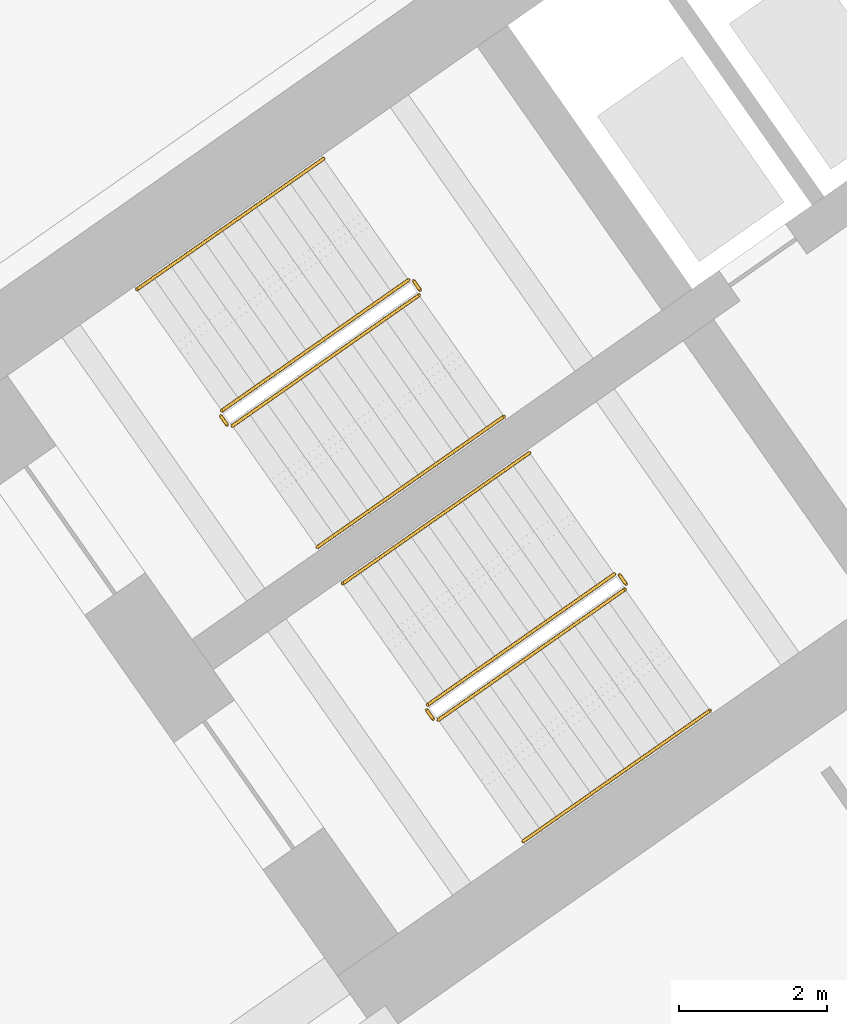
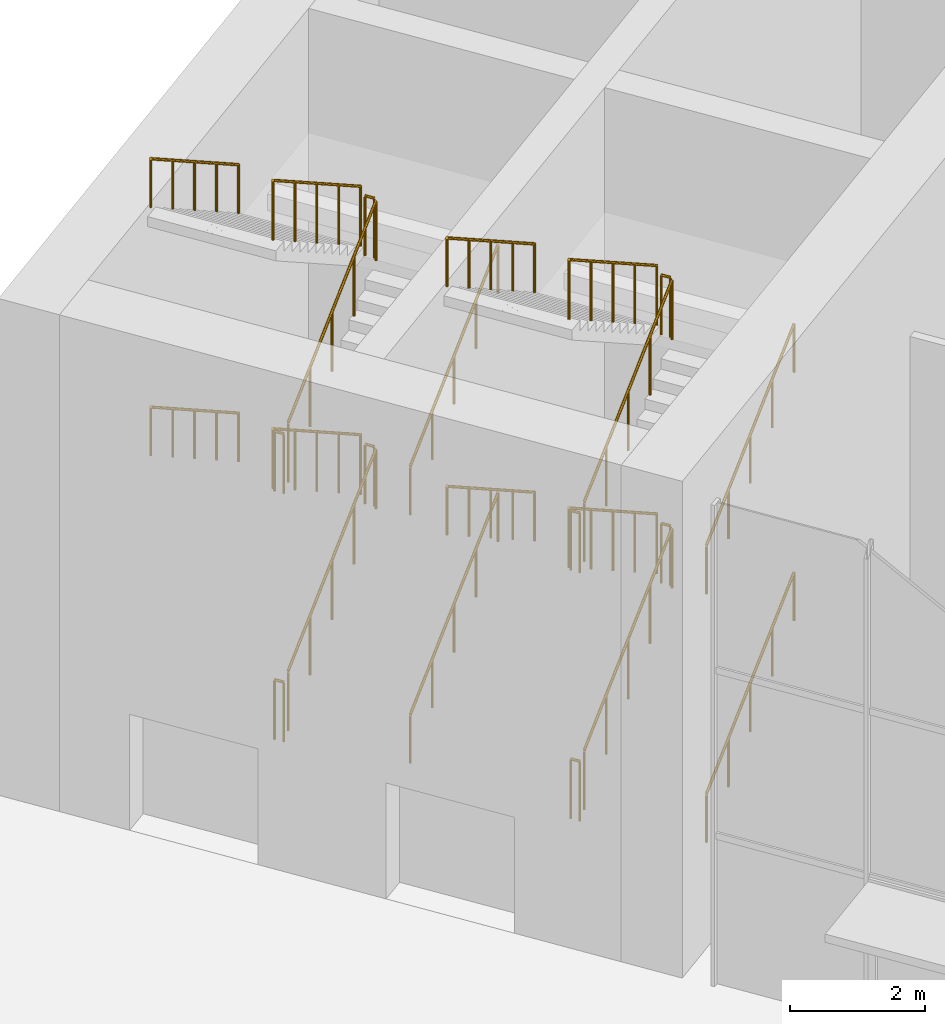
# One storey, part 35 of 37: 24 railings.
"""IFC4 building model written with IfcOpenShell, lengths in metres."""

import ifcopenshell
import ifcopenshell.guid

model = None  # the IFC model being written
_history = None  # IfcOwnerHistory: only IFC2X3 demands one
_inside = {}  # id of a spatial element -> (the spatial element, [elements in it])
_under = {}  # id of a project, library or spatial element -> (it, [spatial elements below it])
_declared = {}  # id of a project -> (the project, [libraries it declares])
_typed = {}  # id of a type object -> (the type object, [elements of that type])
_made_of = {}  # id of a material, layer set ... -> (it, [elements and type objects made of it])


def new_model(schema):
    """Start an empty IFC model of exactly this schema.

    Asked for "IFC4X3", IfcOpenShell would pick the latest addendum, in which some entities
    have other attributes; the version numbers below select the first issue.
    IFC2X3 requires an IfcOwnerHistory on every rooted entity: one is made here for all.
    """
    global model, _history
    if schema == "IFC4X3":
        model = ifcopenshell.file(schema_version=(4, 3, 0, 0))
    else:
        model = ifcopenshell.file(schema=schema)
    _inside.clear()
    _under.clear()
    _declared.clear()
    _typed.clear()
    _made_of.clear()
    _history = None
    if model.schema == "IFC2X3":
        org = make("IfcOrganization", Name="unknown")
        user = make(
            "IfcPersonAndOrganization",
            ThePerson=make("IfcPerson", FamilyName="unknown"),
            TheOrganization=org,
        )
        app = make(
            "IfcApplication",
            ApplicationDeveloper=org,
            Version="unknown",
            ApplicationFullName="unknown",
            ApplicationIdentifier="unknown",
        )
        _history = make(
            "IfcOwnerHistory",
            OwningUser=user,
            OwningApplication=app,
            ChangeAction="ADDED",
            CreationDate=0,
        )
    return model


def make(cls, **values):
    """One entity of the class cls with the attributes given. An attribute that is None is left unset."""
    return model.create_entity(
        cls, **{name: value for name, value in values.items() if value is not None}
    )


def rooted(cls, **values):
    """An entity with a GlobalId (a new one), such as an element, a storey or a relation."""
    return make(cls, GlobalId=ifcopenshell.guid.new(), OwnerHistory=_history, **values)


def si_unit(unit_type, name, prefix=None):
    """IfcSIUnit, for example si_unit("LENGTHUNIT", "METRE", prefix="MILLI")."""
    return make("IfcSIUnit", UnitType=unit_type, Prefix=prefix, Name=name)


def assignment(units):
    """IfcUnitAssignment: the units of a project."""
    return None if units is None else make("IfcUnitAssignment", Units=units)


def point(xyz):
    """IfcCartesianPoint."""
    return None if xyz is None else make("IfcCartesianPoint", Coordinates=xyz)


def direction(xyz):
    """IfcDirection."""
    return None if xyz is None else make("IfcDirection", DirectionRatios=xyz)


def frame(location, z_axis=None, x_axis=None):
    """IfcAxis2Placement3D, a coordinate frame: its origin and axes. An axis left out is left unset."""
    return make(
        "IfcAxis2Placement3D",
        Location=point(location),
        Axis=direction(z_axis),
        RefDirection=direction(x_axis),
    )


def frame_2d(location, x_axis=None):
    """IfcAxis2Placement2D, a coordinate frame in the plane: its origin and x axis."""
    return make(
        "IfcAxis2Placement2D", Location=point(location), RefDirection=direction(x_axis)
    )


def origin():
    """The frame at (0, 0, 0) with its axes left unset."""
    return frame((0.0, 0.0, 0.0))


def origin_2d():
    """The frame at (0, 0) in the plane with its x axis left unset."""
    return frame_2d((0.0, 0.0))


def place(relative_to, where):
    """IfcLocalPlacement: puts the frame where relative to a parent placement (None: the world)."""
    return make(
        "IfcLocalPlacement", PlacementRelTo=relative_to, RelativePlacement=where
    )


def context(
    kind, dimensions, precision=None, world=None, true_north=None, identifier=None
):
    """IfcGeometricRepresentationContext, for example the 3D "Model" context."""
    return make(
        "IfcGeometricRepresentationContext",
        ContextIdentifier=identifier,
        ContextType=kind,
        CoordinateSpaceDimension=dimensions,
        Precision=precision,
        WorldCoordinateSystem=world,
        TrueNorth=true_north,
    )


def subcontext(parent, identifier, kind, view, scale=None):
    """IfcGeometricRepresentationSubContext, for example "Body" below "Model"."""
    return make(
        "IfcGeometricRepresentationSubContext",
        ContextIdentifier=identifier,
        ContextType=kind,
        ParentContext=parent,
        TargetScale=scale,
        TargetView=view,
    )


def project(units=None, contexts=None):
    """IfcProject with its units and contexts."""
    return rooted(
        "IfcProject",
        Name="project",
        RepresentationContexts=contexts,
        UnitsInContext=assignment(units),
    )


def spatial(cls, under=None, at=None, **own):
    """A site, building, storey or space (cls), placed at a placement, below another one or the project."""
    s = rooted(cls, ObjectPlacement=at, **own)
    if under is not None:
        _under.setdefault(under.id(), (under, []))[1].append(s)
    return s


def profile(cls, at=None, kind="AREA", **sizes):
    """A parametric profile (cls). Its sizes go by their IFC names, for example OverallWidth=200.0."""
    return make(cls, ProfileType=kind, Position=at, **sizes)


def circle(**sizes):
    """IfcCircleProfileDef."""
    return profile("IfcCircleProfileDef", **sizes)


def extrude(swept, where, along, depth):
    """IfcExtrudedAreaSolid: the profile swept, set in the frame where, extruded along a direction by depth."""
    return make(
        "IfcExtrudedAreaSolid",
        SweptArea=swept,
        Position=where,
        ExtrudedDirection=direction(along),
        Depth=depth,
    )


def shape(context_of_items, identifier, shape_type, items):
    """IfcShapeRepresentation: the items that make up one representation, for example the "Body"."""
    return make(
        "IfcShapeRepresentation",
        ContextOfItems=context_of_items,
        RepresentationIdentifier=identifier,
        RepresentationType=shape_type,
        Items=items,
    )


def material(Name=None, Category=None):
    """IfcMaterial."""
    return make("IfcMaterial", Name=Name, Category=Category)


def made_of(thing, what):
    """Note that an element or type object is made of a material, layer set ...; save() writes the relation."""
    if what is not None:
        _made_of.setdefault(what.id(), (what, []))[1].append(thing)
    return thing


def type_object(cls, material=None, **own):
    """A type object (cls), such as IfcWallType, which elements share."""
    return made_of(rooted(cls, **own), material)


def element(
    cls,
    number,
    at=None,
    inside=None,
    cuts=None,
    type_object=None,
    material=None,
    context=None,
    identifier="Body",
    shape_type=None,
    held_by="IfcProductDefinitionShape",
    body=None,
    shapes=None,
    **own,
):
    """One element of the class cls, such as IfcWall. Its Tag is "e" and its number.

    at: its placement. inside: the storey or other place that contains it. cuts: it is an
    opening in that element (IfcRelVoidsElement). A single representation is given by context,
    identifier, shape_type and body (its items); several are given by shapes. held_by: the class
    of the entity that holds the representations. save() writes the other relations.
    """
    e = rooted(cls, Tag="e%d" % number, ObjectPlacement=at, **own)
    if body is not None:
        shapes = [shape(context, identifier, shape_type, body)]
    if shapes is not None:
        e.Representation = make(held_by, Representations=shapes)
    if inside is not None:
        _inside.setdefault(inside.id(), (inside, []))[1].append(e)
    if cuts is not None:
        rooted(
            "IfcRelVoidsElement", RelatingBuildingElement=cuts, RelatedOpeningElement=e
        )
    if type_object is not None:
        _typed.setdefault(type_object.id(), (type_object, []))[1].append(e)
    return made_of(e, material)


def aggregate(whole, parts):
    """IfcRelAggregates: a whole, such as a stair, and the parts it consists of."""
    return rooted("IfcRelAggregates", RelatingObject=whole, RelatedObjects=parts)


def save(model, path):
    """Write the relations noted so far, then the file.

    IfcRelAggregates (storeys below a building ...), IfcRelContainedInSpatialStructure (elements
    in a storey), IfcRelDefinesByType, IfcRelAssociatesMaterial and IfcRelDeclares: one each for
    every whole, place, type object, material and project.
    """
    for whole, parts in _under.values():
        aggregate(whole, parts)
    for where, things in _inside.values():
        rooted(
            "IfcRelContainedInSpatialStructure",
            RelatedElements=things,
            RelatingStructure=where,
        )
    for kind, things in _typed.values():
        rooted("IfcRelDefinesByType", RelatedObjects=things, RelatingType=kind)
    for what, things in _made_of.values():
        rooted("IfcRelAssociatesMaterial", RelatedObjects=things, RelatingMaterial=what)
    for by, libraries in _declared.values():
        rooted("IfcRelDeclares", RelatingContext=by, RelatedDefinitions=libraries)
    model.write(path)


model = new_model("IFC4")

# Units and contexts
model_context = context("Model", 3, precision=1e-05, world=origin(), true_north=direction((0.0, 1.0)))
body_context = subcontext(model_context, "Body", "Model", "MODEL_VIEW")
ifc_project = project(units=[si_unit("LENGTHUNIT", "METRE"), si_unit("AREAUNIT", "SQUARE_METRE"), si_unit("VOLUMEUNIT", "CUBIC_METRE"), si_unit("PLANEANGLEUNIT", "RADIAN"), si_unit("MASSUNIT", "GRAM", prefix="KILO")], contexts=[model_context])

# Site, building, storey
site_placement = place(None, origin())
site = spatial("IfcSite", under=ifc_project, at=site_placement, CompositionType="ELEMENT")
building_placement = place(site_placement, origin())
building = spatial("IfcBuilding", under=site, at=building_placement, Name="Tel Ilan Convention Tower", CompositionType="ELEMENT")
storey_placement = place(building_placement, origin())
storey = spatial("IfcBuildingStorey", under=building, at=storey_placement, Name="L00", CompositionType="ELEMENT", Elevation=0.0)

# Railings
ifc_material_1 = material(Name="Stainless Steel Grade 316", Category="steel")
railing_type_1 = type_object("IfcRailingType", Name="Stainless Steel Stair Guard 1100 mm", PredefinedType="GUARDRAIL", material=ifc_material_1)
railing_1_placement = place(storey_placement, frame((-23.535400390625, -8.056396484375, 0.1875)))
element("IfcRailing", 1, at=railing_1_placement, inside=storey, type_object=railing_type_1, Name="L00 S1 stair guard 1", PredefinedType="GUARDRAIL", context=body_context, shape_type="SweptSolid", body=[
    extrude(circle(Radius=0.02392578125, at=origin_2d()), frame((0.0, 0.0, 1.076171875), z_axis=(0.680634867305, 0.476589307124, 0.556416040158), x_axis=(-0.573579377721, 0.819149984711, 0.0)), (0.0, 0.0, 1.0), 3.706787109375),
    extrude(circle(Radius=0.02099609375, at=origin_2d()), origin(), (0.0, 0.0, 1.0), 1.052001953125),
    extrude(circle(Radius=0.02099609375, at=origin_2d()), frame((0.630859375, 0.441650390625, 0.515625)), (0.0, 0.0, 1.0), 1.052001953125),
    extrude(circle(Radius=0.02099609375, at=origin_2d()), frame((1.261474609375, 0.88330078125, 1.03125)), (0.0, 0.0, 1.0), 1.052001953125),
    extrude(circle(Radius=0.02099609375, at=origin_2d()), frame((1.89208984375, 1.324951171875, 1.546875)), (0.0, 0.0, 1.0), 1.052001953125),
    extrude(circle(Radius=0.02099609375, at=origin_2d()), frame((2.52294921875, 1.7666015625, 2.0625)), (0.0, 0.0, 1.0), 1.052001953125),
])
railing_2_placement = place(storey_placement, frame((-21.000244140625, -6.219970703125, 2.25)))
element("IfcRailing", 2, at=railing_2_placement, inside=storey, type_object=railing_type_1, Name="L00 S1 stair guard 2", PredefinedType="GUARDRAIL", context=body_context, shape_type="SweptSolid", body=[
    extrude(circle(Radius=0.02392578125, at=origin_2d()), frame((0.0, 0.0, 1.076171875), z_axis=(-0.573353020881, 0.819308436089, 0.0), x_axis=(-0.819308436089, -0.573353020881, 0.0)), (0.0, 0.0, 1.0), 0.14990234375),
    extrude(circle(Radius=0.02099609375, at=origin_2d()), origin(), (0.0, 0.0, 1.0), 1.052001953125),
    extrude(circle(Radius=0.02099609375, at=origin_2d()), frame((-0.0859375, 0.122802734375, 0.0)), (0.0, 0.0, 1.0), 1.052001953125),
])
railing_3_placement = place(storey_placement, frame((-21.15576171875, -6.0849609375, 2.4375)))
element("IfcRailing", 3, at=railing_3_placement, inside=storey, type_object=railing_type_1, Name="L00 S1 stair guard 3", PredefinedType="GUARDRAIL", context=body_context, shape_type="SweptSolid", body=[
    extrude(circle(Radius=0.02392578125, at=origin_2d()), frame((0.0, 0.0, 1.076171875), z_axis=(-0.680634867305, -0.476589307124, 0.556416040158), x_axis=(0.573579377721, -0.819149984711, 0.0)), (0.0, 0.0, 1.0), 3.706787109375),
    extrude(circle(Radius=0.02099609375, at=origin_2d()), origin(), (0.0, 0.0, 1.0), 1.052001953125),
    extrude(circle(Radius=0.02099609375, at=origin_2d()), frame((-0.630859375, -0.441650390625, 0.515625)), (0.0, 0.0, 1.0), 1.052001953125),
    extrude(circle(Radius=0.02099609375, at=origin_2d()), frame((-1.261474609375, -0.88330078125, 1.03125)), (0.0, 0.0, 1.0), 1.052001953125),
    extrude(circle(Radius=0.02099609375, at=origin_2d()), frame((-1.89208984375, -1.324951171875, 1.546875)), (0.0, 0.0, 1.0), 1.052001953125),
    extrude(circle(Radius=0.02099609375, at=origin_2d()), frame((-2.52294921875, -1.7666015625, 2.0625)), (0.0, 0.0, 1.0), 1.052001953125),
])
railing_4_placement = place(storey_placement, frame((-23.60498046875, -8.0439453125, 4.5)))
element("IfcRailing", 4, at=railing_4_placement, inside=storey, type_object=railing_type_1, Name="L00 S1 stair guard 4", PredefinedType="GUARDRAIL", context=body_context, shape_type="SweptSolid", body=[
    extrude(circle(Radius=0.02392578125, at=origin_2d()), frame((0.0, 0.0, 1.076171875), z_axis=(-0.574444878118, 0.818543268254, 0.0), x_axis=(-0.818543268254, -0.574444878118, 0.0)), (0.0, 0.0, 1.0), 0.150146484375),
    extrude(circle(Radius=0.02099609375, at=origin_2d()), origin(), (0.0, 0.0, 1.0), 1.052001953125),
    extrude(circle(Radius=0.02099609375, at=origin_2d()), frame((-0.086181640625, 0.122802734375, 0.0)), (0.0, 0.0, 1.0), 1.052001953125),
])
railing_5_placement = place(storey_placement, frame((-23.535400390625, -8.056396484375, 4.6875)))
element("IfcRailing", 5, at=railing_5_placement, inside=storey, type_object=railing_type_1, Name="L00 S1 stair guard 5", PredefinedType="GUARDRAIL", context=body_context, shape_type="SweptSolid", body=[
    extrude(circle(Radius=0.02392578125, at=origin_2d()), frame((0.0, 0.0, 1.076171875), z_axis=(0.680634867305, 0.476589307124, 0.556416040158), x_axis=(-0.573579377721, 0.819149984711, 0.0)), (0.0, 0.0, 1.0), 3.706787109375),
    extrude(circle(Radius=0.02099609375, at=origin_2d()), origin(), (0.0, 0.0, 1.0), 1.052001953125),
    extrude(circle(Radius=0.02099609375, at=origin_2d()), frame((0.630859375, 0.441650390625, 0.515625)), (0.0, 0.0, 1.0), 1.052001953125),
    extrude(circle(Radius=0.02099609375, at=origin_2d()), frame((1.261474609375, 0.88330078125, 1.03125)), (0.0, 0.0, 1.0), 1.052001953125),
    extrude(circle(Radius=0.02099609375, at=origin_2d()), frame((1.89208984375, 1.324951171875, 1.546875)), (0.0, 0.0, 1.0), 1.052001953125),
    extrude(circle(Radius=0.02099609375, at=origin_2d()), frame((2.52294921875, 1.7666015625, 2.0625)), (0.0, 0.0, 1.0), 1.052001953125),
])
railing_6_placement = place(storey_placement, frame((-21.000244140625, -6.219970703125, 6.75)))
element("IfcRailing", 6, at=railing_6_placement, inside=storey, type_object=railing_type_1, Name="L00 S1 stair guard 6", PredefinedType="GUARDRAIL", context=body_context, shape_type="SweptSolid", body=[
    extrude(circle(Radius=0.02392578125, at=origin_2d()), frame((0.0, 0.0, 1.076171875), z_axis=(-0.573353020881, 0.819308436089, 0.0), x_axis=(-0.819308436089, -0.573353020881, 0.0)), (0.0, 0.0, 1.0), 0.14990234375),
    extrude(circle(Radius=0.02099609375, at=origin_2d()), origin(), (0.0, 0.0, 1.0), 1.052001953125),
    extrude(circle(Radius=0.02099609375, at=origin_2d()), frame((-0.0859375, 0.122802734375, 0.0)), (0.0, 0.0, 1.0), 1.052001953125),
])
railing_7_placement = place(storey_placement, frame((-21.15576171875, -6.0849609375, 6.9375)))
element("IfcRailing", 7, at=railing_7_placement, inside=storey, type_object=railing_type_1, Name="L00 S1 stair guard 7", PredefinedType="GUARDRAIL", context=body_context, shape_type="SweptSolid", body=[
    extrude(circle(Radius=0.02392578125, at=origin_2d()), frame((0.0, 0.0, 1.076171875), z_axis=(-0.680634867305, -0.476589307124, 0.556416040158), x_axis=(0.573579377721, -0.819149984711, 0.0)), (0.0, 0.0, 1.0), 3.706787109375),
    extrude(circle(Radius=0.02099609375, at=origin_2d()), origin(), (0.0, 0.0, 1.0), 1.052001953125),
    extrude(circle(Radius=0.02099609375, at=origin_2d()), frame((-0.630859375, -0.441650390625, 0.515625)), (0.0, 0.0, 1.0), 1.052001953125),
    extrude(circle(Radius=0.02099609375, at=origin_2d()), frame((-1.261474609375, -0.88330078125, 1.03125)), (0.0, 0.0, 1.0), 1.052001953125),
    extrude(circle(Radius=0.02099609375, at=origin_2d()), frame((-1.89208984375, -1.324951171875, 1.546875)), (0.0, 0.0, 1.0), 1.052001953125),
    extrude(circle(Radius=0.02099609375, at=origin_2d()), frame((-2.52294921875, -1.7666015625, 2.0625)), (0.0, 0.0, 1.0), 1.052001953125),
])
railing_8_placement = place(storey_placement, frame((-23.60498046875, -8.0439453125, 0.0)))
element("IfcRailing", 8, at=railing_8_placement, inside=storey, type_object=railing_type_1, Name="L00 S1 stair guard 8", PredefinedType="GUARDRAIL", context=body_context, shape_type="SweptSolid", body=[
    extrude(circle(Radius=0.02392578125, at=origin_2d()), frame((0.0, 0.0, 1.076171875), z_axis=(-0.574444878118, 0.818543268254, 0.0), x_axis=(-0.818543268254, -0.574444878118, 0.0)), (0.0, 0.0, 1.0), 0.150146484375),
    extrude(circle(Radius=0.02099609375, at=origin_2d()), origin(), (0.0, 0.0, 1.0), 1.052001953125),
    extrude(circle(Radius=0.02099609375, at=origin_2d()), frame((-0.086181640625, 0.122802734375, 0.0)), (0.0, 0.0, 1.0), 1.052001953125),
])
railing_9_placement = place(storey_placement, frame((-20.753662109375, -12.029296875, 0.1875)))
element("IfcRailing", 9, at=railing_9_placement, inside=storey, type_object=railing_type_1, Name="L00 S2 stair guard 1", PredefinedType="GUARDRAIL", context=body_context, shape_type="SweptSolid", body=[
    extrude(circle(Radius=0.02392578125, at=origin_2d()), frame((0.0, 0.0, 1.076171875), z_axis=(0.680670216326, 0.476567942461, 0.556391097003), x_axis=(-0.573542135923, 0.819176060637, 0.0)), (0.0, 0.0, 1.0), 3.70703125),
    extrude(circle(Radius=0.02099609375, at=origin_2d()), origin(), (0.0, 0.0, 1.0), 1.052001953125),
    extrude(circle(Radius=0.02099609375, at=origin_2d()), frame((0.630859375, 0.441650390625, 0.515625)), (0.0, 0.0, 1.0), 1.052001953125),
    extrude(circle(Radius=0.02099609375, at=origin_2d()), frame((1.26171875, 0.88330078125, 1.03125)), (0.0, 0.0, 1.0), 1.052001953125),
    extrude(circle(Radius=0.02099609375, at=origin_2d()), frame((1.892333984375, 1.324951171875, 1.546875)), (0.0, 0.0, 1.0), 1.052001953125),
    extrude(circle(Radius=0.02099609375, at=origin_2d()), frame((2.523193359375, 1.7666015625, 2.0625)), (0.0, 0.0, 1.0), 1.052001953125),
])
railing_10_placement = place(storey_placement, frame((-18.21826171875, -10.19287109375, 2.25)))
element("IfcRailing", 10, at=railing_10_placement, inside=storey, type_object=railing_type_1, Name="L00 S2 stair guard 2", PredefinedType="GUARDRAIL", context=body_context, shape_type="SweptSolid", body=[
    extrude(circle(Radius=0.02392578125, at=origin_2d()), frame((0.0, 0.0, 1.076171875), z_axis=(-0.574444878118, 0.818543268254, 0.0), x_axis=(-0.818543268254, -0.574444878118, 0.0)), (0.0, 0.0, 1.0), 0.150146484375),
    extrude(circle(Radius=0.02099609375, at=origin_2d()), origin(), (0.0, 0.0, 1.0), 1.052001953125),
    extrude(circle(Radius=0.02099609375, at=origin_2d()), frame((-0.086181640625, 0.122802734375, 0.0)), (0.0, 0.0, 1.0), 1.052001953125),
])
railing_11_placement = place(storey_placement, frame((-18.3740234375, -10.057861328125, 2.4375)))
element("IfcRailing", 11, at=railing_11_placement, inside=storey, type_object=railing_type_1, Name="L00 S2 stair guard 3", PredefinedType="GUARDRAIL", context=body_context, shape_type="SweptSolid", body=[
    extrude(circle(Radius=0.02392578125, at=origin_2d()), frame((0.0, 0.0, 1.076171875), z_axis=(-0.680634867305, -0.476589307124, 0.556416040158), x_axis=(0.573579377721, -0.819149984711, 0.0)), (0.0, 0.0, 1.0), 3.706787109375),
    extrude(circle(Radius=0.02099609375, at=origin_2d()), origin(), (0.0, 0.0, 1.0), 1.052001953125),
    extrude(circle(Radius=0.02099609375, at=origin_2d()), frame((-0.630859375, -0.441650390625, 0.515625)), (0.0, 0.0, 1.0), 1.052001953125),
    extrude(circle(Radius=0.02099609375, at=origin_2d()), frame((-1.261474609375, -0.88330078125, 1.03125)), (0.0, 0.0, 1.0), 1.052001953125),
    extrude(circle(Radius=0.02099609375, at=origin_2d()), frame((-1.89208984375, -1.324951171875, 1.546875)), (0.0, 0.0, 1.0), 1.052001953125),
    extrude(circle(Radius=0.02099609375, at=origin_2d()), frame((-2.52294921875, -1.7666015625, 2.0625)), (0.0, 0.0, 1.0), 1.052001953125),
])
railing_12_placement = place(storey_placement, frame((-20.8232421875, -12.016845703125, 4.5)))
element("IfcRailing", 12, at=railing_12_placement, inside=storey, type_object=railing_type_1, Name="L00 S2 stair guard 4", PredefinedType="GUARDRAIL", context=body_context, shape_type="SweptSolid", body=[
    extrude(circle(Radius=0.02392578125, at=origin_2d()), frame((0.0, 0.0, 1.076171875), z_axis=(-0.573353020881, 0.819308436089, 0.0), x_axis=(-0.819308436089, -0.573353020881, 0.0)), (0.0, 0.0, 1.0), 0.14990234375),
    extrude(circle(Radius=0.02099609375, at=origin_2d()), origin(), (0.0, 0.0, 1.0), 1.052001953125),
    extrude(circle(Radius=0.02099609375, at=origin_2d()), frame((-0.0859375, 0.122802734375, 0.0)), (0.0, 0.0, 1.0), 1.052001953125),
])
railing_13_placement = place(storey_placement, frame((-20.753662109375, -12.029296875, 4.6875)))
element("IfcRailing", 13, at=railing_13_placement, inside=storey, type_object=railing_type_1, Name="L00 S2 stair guard 5", PredefinedType="GUARDRAIL", context=body_context, shape_type="SweptSolid", body=[
    extrude(circle(Radius=0.02392578125, at=origin_2d()), frame((0.0, 0.0, 1.076171875), z_axis=(0.680670216326, 0.476567942461, 0.556391097003), x_axis=(-0.573542135923, 0.819176060637, 0.0)), (0.0, 0.0, 1.0), 3.70703125),
    extrude(circle(Radius=0.02099609375, at=origin_2d()), origin(), (0.0, 0.0, 1.0), 1.052001953125),
    extrude(circle(Radius=0.02099609375, at=origin_2d()), frame((0.630859375, 0.441650390625, 0.515625)), (0.0, 0.0, 1.0), 1.052001953125),
    extrude(circle(Radius=0.02099609375, at=origin_2d()), frame((1.26171875, 0.88330078125, 1.03125)), (0.0, 0.0, 1.0), 1.052001953125),
    extrude(circle(Radius=0.02099609375, at=origin_2d()), frame((1.892333984375, 1.324951171875, 1.546875)), (0.0, 0.0, 1.0), 1.052001953125),
    extrude(circle(Radius=0.02099609375, at=origin_2d()), frame((2.523193359375, 1.7666015625, 2.0625)), (0.0, 0.0, 1.0), 1.052001953125),
])
railing_14_placement = place(storey_placement, frame((-18.21826171875, -10.19287109375, 6.75)))
element("IfcRailing", 14, at=railing_14_placement, inside=storey, type_object=railing_type_1, Name="L00 S2 stair guard 6", PredefinedType="GUARDRAIL", context=body_context, shape_type="SweptSolid", body=[
    extrude(circle(Radius=0.02392578125, at=origin_2d()), frame((0.0, 0.0, 1.076171875), z_axis=(-0.574444878118, 0.818543268254, 0.0), x_axis=(-0.818543268254, -0.574444878118, 0.0)), (0.0, 0.0, 1.0), 0.150146484375),
    extrude(circle(Radius=0.02099609375, at=origin_2d()), origin(), (0.0, 0.0, 1.0), 1.052001953125),
    extrude(circle(Radius=0.02099609375, at=origin_2d()), frame((-0.086181640625, 0.122802734375, 0.0)), (0.0, 0.0, 1.0), 1.052001953125),
])
railing_15_placement = place(storey_placement, frame((-18.3740234375, -10.057861328125, 6.9375)))
element("IfcRailing", 15, at=railing_15_placement, inside=storey, type_object=railing_type_1, Name="L00 S2 stair guard 7", PredefinedType="GUARDRAIL", context=body_context, shape_type="SweptSolid", body=[
    extrude(circle(Radius=0.02392578125, at=origin_2d()), frame((0.0, 0.0, 1.076171875), z_axis=(-0.680634867305, -0.476589307124, 0.556416040158), x_axis=(0.573579377721, -0.819149984711, 0.0)), (0.0, 0.0, 1.0), 3.706787109375),
    extrude(circle(Radius=0.02099609375, at=origin_2d()), origin(), (0.0, 0.0, 1.0), 1.052001953125),
    extrude(circle(Radius=0.02099609375, at=origin_2d()), frame((-0.630859375, -0.441650390625, 0.515625)), (0.0, 0.0, 1.0), 1.052001953125),
    extrude(circle(Radius=0.02099609375, at=origin_2d()), frame((-1.261474609375, -0.88330078125, 1.03125)), (0.0, 0.0, 1.0), 1.052001953125),
    extrude(circle(Radius=0.02099609375, at=origin_2d()), frame((-1.89208984375, -1.324951171875, 1.546875)), (0.0, 0.0, 1.0), 1.052001953125),
    extrude(circle(Radius=0.02099609375, at=origin_2d()), frame((-2.52294921875, -1.7666015625, 2.0625)), (0.0, 0.0, 1.0), 1.052001953125),
])
railing_16_placement = place(storey_placement, frame((-20.8232421875, -12.016845703125, 0.0)))
element("IfcRailing", 16, at=railing_16_placement, inside=storey, type_object=railing_type_1, Name="L00 S2 stair guard 8", PredefinedType="GUARDRAIL", context=body_context, shape_type="SweptSolid", body=[
    extrude(circle(Radius=0.02392578125, at=origin_2d()), frame((0.0, 0.0, 1.076171875), z_axis=(-0.573353020881, 0.819308436089, 0.0), x_axis=(-0.819308436089, -0.573353020881, 0.0)), (0.0, 0.0, 1.0), 0.14990234375),
    extrude(circle(Radius=0.02099609375, at=origin_2d()), origin(), (0.0, 0.0, 1.0), 1.052001953125),
    extrude(circle(Radius=0.02099609375, at=origin_2d()), frame((-0.0859375, 0.122802734375, 0.0)), (0.0, 0.0, 1.0), 1.052001953125),
])
ifc_material_2 = material(Name="Stainless Steel Grade 316", Category="steel")
railing_type_2 = type_object("IfcRailingType", Name="Stainless Steel Stair Handrail 900 mm", PredefinedType="HANDRAIL", material=ifc_material_2)
railing_17_placement = place(storey_placement, frame((-22.38818359375, -9.694580078125, 0.1875)))
element("IfcRailing", 17, at=railing_17_placement, inside=storey, type_object=railing_type_2, Name="L00 S1 stair handrail 1", PredefinedType="HANDRAIL", context=body_context, shape_type="SweptSolid", body=[
    extrude(circle(Radius=0.02392578125, at=origin_2d()), frame((0.0, 0.0, 0.8759765625), z_axis=(0.680634867305, 0.476589307124, 0.556416040158), x_axis=(-0.573579377721, 0.819149984711, 0.0)), (0.0, 0.0, 1.0), 3.706787109375),
    extrude(circle(Radius=0.02099609375, at=origin_2d()), origin(), (0.0, 0.0, 1.0), 0.851806640625),
    extrude(circle(Radius=0.02099609375, at=origin_2d()), frame((0.630859375, 0.441650390625, 0.515625)), (0.0, 0.0, 1.0), 0.851806640625),
    extrude(circle(Radius=0.02099609375, at=origin_2d()), frame((1.261474609375, 0.88330078125, 1.03125)), (0.0, 0.0, 1.0), 0.851806640625),
    extrude(circle(Radius=0.02099609375, at=origin_2d()), frame((1.89208984375, 1.324951171875, 1.546875)), (0.0, 0.0, 1.0), 0.851806640625),
    extrude(circle(Radius=0.02099609375, at=origin_2d()), frame((2.52294921875, 1.7666015625, 2.0625)), (0.0, 0.0, 1.0), 0.851806640625),
])
railing_18_placement = place(storey_placement, frame((-22.302978515625, -4.446533203125, 2.4375)))
element("IfcRailing", 18, at=railing_18_placement, inside=storey, type_object=railing_type_2, Name="L00 S1 stair handrail 2", PredefinedType="HANDRAIL", context=body_context, shape_type="SweptSolid", body=[
    extrude(circle(Radius=0.02392578125, at=origin_2d()), frame((0.0, 0.0, 0.8759765625), z_axis=(-0.680634867305, -0.476589307124, 0.556416040158), x_axis=(0.573579377721, -0.819149984711, 0.0)), (0.0, 0.0, 1.0), 3.706787109375),
    extrude(circle(Radius=0.02099609375, at=origin_2d()), origin(), (0.0, 0.0, 1.0), 0.851806640625),
    extrude(circle(Radius=0.02099609375, at=origin_2d()), frame((-0.630859375, -0.441650390625, 0.515625)), (0.0, 0.0, 1.0), 0.851806640625),
    extrude(circle(Radius=0.02099609375, at=origin_2d()), frame((-1.261474609375, -0.88330078125, 1.03125)), (0.0, 0.0, 1.0), 0.851806640625),
    extrude(circle(Radius=0.02099609375, at=origin_2d()), frame((-1.89208984375, -1.324951171875, 1.546875)), (0.0, 0.0, 1.0), 0.851806640625),
    extrude(circle(Radius=0.02099609375, at=origin_2d()), frame((-2.52294921875, -1.7666015625, 2.0625)), (0.0, 0.0, 1.0), 0.851806640625),
])
railing_19_placement = place(storey_placement, frame((-22.38818359375, -9.694580078125, 4.6875)))
element("IfcRailing", 19, at=railing_19_placement, inside=storey, type_object=railing_type_2, Name="L00 S1 stair handrail 3", PredefinedType="HANDRAIL", context=body_context, shape_type="SweptSolid", body=[
    extrude(circle(Radius=0.02392578125, at=origin_2d()), frame((0.0, 0.0, 0.8759765625), z_axis=(0.680634867305, 0.476589307124, 0.556416040158), x_axis=(-0.573579377721, 0.819149984711, 0.0)), (0.0, 0.0, 1.0), 3.706787109375),
    extrude(circle(Radius=0.02099609375, at=origin_2d()), origin(), (0.0, 0.0, 1.0), 0.851806640625),
    extrude(circle(Radius=0.02099609375, at=origin_2d()), frame((0.630859375, 0.441650390625, 0.515625)), (0.0, 0.0, 1.0), 0.851806640625),
    extrude(circle(Radius=0.02099609375, at=origin_2d()), frame((1.261474609375, 0.88330078125, 1.03125)), (0.0, 0.0, 1.0), 0.851806640625),
    extrude(circle(Radius=0.02099609375, at=origin_2d()), frame((1.89208984375, 1.324951171875, 1.546875)), (0.0, 0.0, 1.0), 0.851806640625),
    extrude(circle(Radius=0.02099609375, at=origin_2d()), frame((2.52294921875, 1.7666015625, 2.0625)), (0.0, 0.0, 1.0), 0.851806640625),
])
railing_20_placement = place(storey_placement, frame((-22.302978515625, -4.446533203125, 6.9375)))
element("IfcRailing", 20, at=railing_20_placement, inside=storey, type_object=railing_type_2, Name="L00 S1 stair handrail 4", PredefinedType="HANDRAIL", context=body_context, shape_type="SweptSolid", body=[
    extrude(circle(Radius=0.02392578125, at=origin_2d()), frame((0.0, 0.0, 0.8759765625), z_axis=(-0.680634867305, -0.476589307124, 0.556416040158), x_axis=(0.573579377721, -0.819149984711, 0.0)), (0.0, 0.0, 1.0), 3.706787109375),
    extrude(circle(Radius=0.02099609375, at=origin_2d()), origin(), (0.0, 0.0, 1.0), 0.851806640625),
    extrude(circle(Radius=0.02099609375, at=origin_2d()), frame((-0.630859375, -0.441650390625, 0.515625)), (0.0, 0.0, 1.0), 0.851806640625),
    extrude(circle(Radius=0.02099609375, at=origin_2d()), frame((-1.261474609375, -0.88330078125, 1.03125)), (0.0, 0.0, 1.0), 0.851806640625),
    extrude(circle(Radius=0.02099609375, at=origin_2d()), frame((-1.89208984375, -1.324951171875, 1.546875)), (0.0, 0.0, 1.0), 0.851806640625),
    extrude(circle(Radius=0.02099609375, at=origin_2d()), frame((-2.52294921875, -1.7666015625, 2.0625)), (0.0, 0.0, 1.0), 0.851806640625),
])
railing_21_placement = place(storey_placement, frame((-19.6064453125, -13.66748046875, 0.1875)))
element("IfcRailing", 21, at=railing_21_placement, inside=storey, type_object=railing_type_2, Name="L00 S2 stair handrail 1", PredefinedType="HANDRAIL", context=body_context, shape_type="SweptSolid", body=[
    extrude(circle(Radius=0.02392578125, at=origin_2d()), frame((0.0, 0.0, 0.8759765625), z_axis=(0.680634867305, 0.476589307124, 0.556416040158), x_axis=(-0.573579377721, 0.819149984711, 0.0)), (0.0, 0.0, 1.0), 3.706787109375),
    extrude(circle(Radius=0.02099609375, at=origin_2d()), origin(), (0.0, 0.0, 1.0), 0.851806640625),
    extrude(circle(Radius=0.02099609375, at=origin_2d()), frame((0.630859375, 0.441650390625, 0.515625)), (0.0, 0.0, 1.0), 0.851806640625),
    extrude(circle(Radius=0.02099609375, at=origin_2d()), frame((1.261474609375, 0.88330078125, 1.03125)), (0.0, 0.0, 1.0), 0.851806640625),
    extrude(circle(Radius=0.02099609375, at=origin_2d()), frame((1.89208984375, 1.324951171875, 1.546875)), (0.0, 0.0, 1.0), 0.851806640625),
    extrude(circle(Radius=0.02099609375, at=origin_2d()), frame((2.52294921875, 1.7666015625, 2.0625)), (0.0, 0.0, 1.0), 0.851806640625),
])
railing_22_placement = place(storey_placement, frame((-19.521240234375, -8.41943359375, 2.4375)))
element("IfcRailing", 22, at=railing_22_placement, inside=storey, type_object=railing_type_2, Name="L00 S2 stair handrail 2", PredefinedType="HANDRAIL", context=body_context, shape_type="SweptSolid", body=[
    extrude(circle(Radius=0.02392578125, at=origin_2d()), frame((0.0, 0.0, 0.8759765625), z_axis=(-0.680634867305, -0.476589307124, 0.556416040158), x_axis=(0.573579377721, -0.819149984711, 0.0)), (0.0, 0.0, 1.0), 3.706787109375),
    extrude(circle(Radius=0.02099609375, at=origin_2d()), origin(), (0.0, 0.0, 1.0), 0.851806640625),
    extrude(circle(Radius=0.02099609375, at=origin_2d()), frame((-0.630859375, -0.441650390625, 0.515625)), (0.0, 0.0, 1.0), 0.851806640625),
    extrude(circle(Radius=0.02099609375, at=origin_2d()), frame((-1.261474609375, -0.88330078125, 1.03125)), (0.0, 0.0, 1.0), 0.851806640625),
    extrude(circle(Radius=0.02099609375, at=origin_2d()), frame((-1.89208984375, -1.324951171875, 1.546875)), (0.0, 0.0, 1.0), 0.851806640625),
    extrude(circle(Radius=0.02099609375, at=origin_2d()), frame((-2.52294921875, -1.7666015625, 2.0625)), (0.0, 0.0, 1.0), 0.851806640625),
])
railing_23_placement = place(storey_placement, frame((-19.6064453125, -13.66748046875, 4.6875)))
element("IfcRailing", 23, at=railing_23_placement, inside=storey, type_object=railing_type_2, Name="L00 S2 stair handrail 3", PredefinedType="HANDRAIL", context=body_context, shape_type="SweptSolid", body=[
    extrude(circle(Radius=0.02392578125, at=origin_2d()), frame((0.0, 0.0, 0.8759765625), z_axis=(0.680634867305, 0.476589307124, 0.556416040158), x_axis=(-0.573579377721, 0.819149984711, 0.0)), (0.0, 0.0, 1.0), 3.706787109375),
    extrude(circle(Radius=0.02099609375, at=origin_2d()), origin(), (0.0, 0.0, 1.0), 0.851806640625),
    extrude(circle(Radius=0.02099609375, at=origin_2d()), frame((0.630859375, 0.441650390625, 0.515625)), (0.0, 0.0, 1.0), 0.851806640625),
    extrude(circle(Radius=0.02099609375, at=origin_2d()), frame((1.261474609375, 0.88330078125, 1.03125)), (0.0, 0.0, 1.0), 0.851806640625),
    extrude(circle(Radius=0.02099609375, at=origin_2d()), frame((1.89208984375, 1.324951171875, 1.546875)), (0.0, 0.0, 1.0), 0.851806640625),
    extrude(circle(Radius=0.02099609375, at=origin_2d()), frame((2.52294921875, 1.7666015625, 2.0625)), (0.0, 0.0, 1.0), 0.851806640625),
])
railing_24_placement = place(storey_placement, frame((-19.521240234375, -8.41943359375, 6.9375)))
element("IfcRailing", 24, at=railing_24_placement, inside=storey, type_object=railing_type_2, Name="L00 S2 stair handrail 4", PredefinedType="HANDRAIL", context=body_context, shape_type="SweptSolid", body=[
    extrude(circle(Radius=0.02392578125, at=origin_2d()), frame((0.0, 0.0, 0.8759765625), z_axis=(-0.680634867305, -0.476589307124, 0.556416040158), x_axis=(0.573579377721, -0.819149984711, 0.0)), (0.0, 0.0, 1.0), 3.706787109375),
    extrude(circle(Radius=0.02099609375, at=origin_2d()), origin(), (0.0, 0.0, 1.0), 0.851806640625),
    extrude(circle(Radius=0.02099609375, at=origin_2d()), frame((-0.630859375, -0.441650390625, 0.515625)), (0.0, 0.0, 1.0), 0.851806640625),
    extrude(circle(Radius=0.02099609375, at=origin_2d()), frame((-1.261474609375, -0.88330078125, 1.03125)), (0.0, 0.0, 1.0), 0.851806640625),
    extrude(circle(Radius=0.02099609375, at=origin_2d()), frame((-1.89208984375, -1.324951171875, 1.546875)), (0.0, 0.0, 1.0), 0.851806640625),
    extrude(circle(Radius=0.02099609375, at=origin_2d()), frame((-2.52294921875, -1.7666015625, 2.0625)), (0.0, 0.0, 1.0), 0.851806640625),
])

save(model, "model.ifc")
